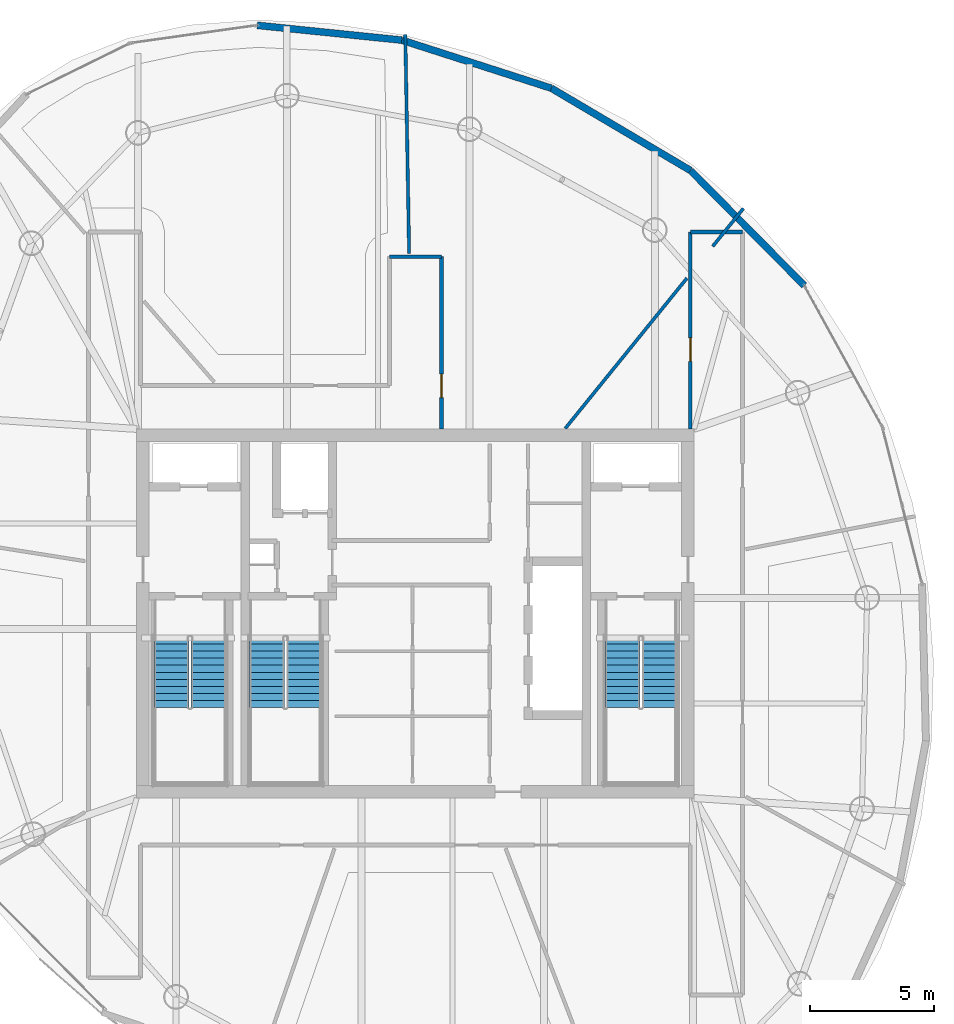
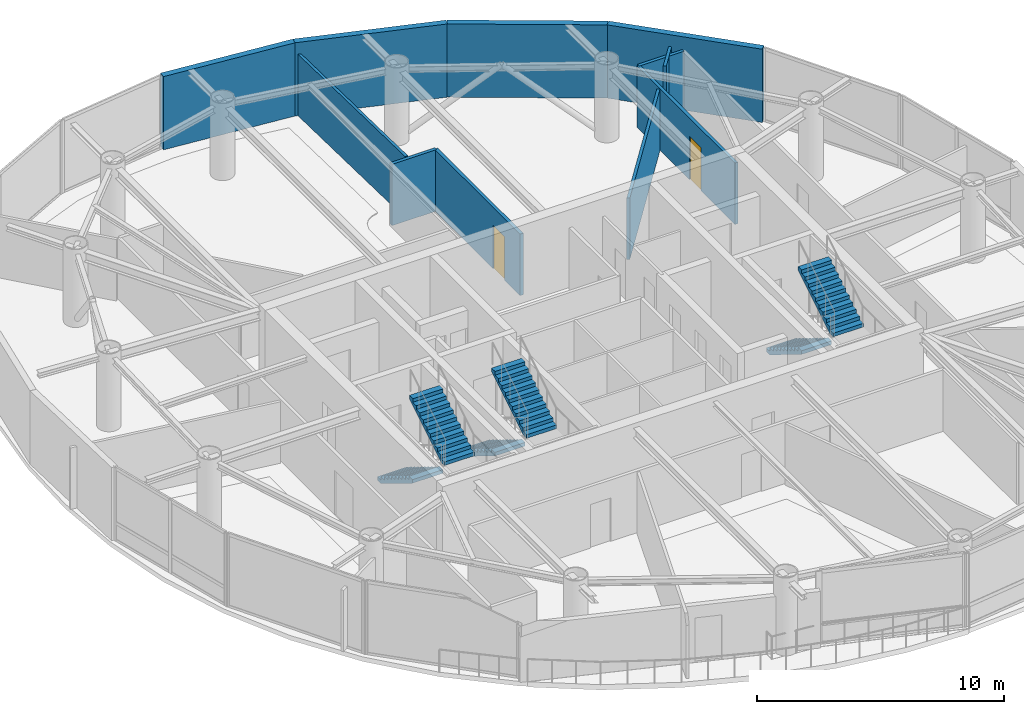
# One storey, part 17 of 20: 11 walls, 6 stair flights, 2 doors, 2 openings, 3 elements without a shape of their own.
"""IFC4 building model written with IfcOpenShell, lengths in metres."""

from ifc_helpers import new_model, si_unit, direction, frame, frame_2d, origin, place, context, subcontext, project, spatial, polyline, rectangle, outline, extrude, material, layer, layer_set, type_object, element, fill, aggregate, save


model = new_model("IFC4")

# Units and contexts
model_context = context("Model", 3, precision=1e-05, world=origin(), true_north=direction((0.0, 1.0)))
body_context = subcontext(model_context, "Body", "Model", "MODEL_VIEW")
ifc_project = project(units=[si_unit("LENGTHUNIT", "METRE"), si_unit("AREAUNIT", "SQUARE_METRE"), si_unit("VOLUMEUNIT", "CUBIC_METRE"), si_unit("PLANEANGLEUNIT", "RADIAN"), si_unit("MASSUNIT", "GRAM", prefix="KILO")], contexts=[model_context])

# Site, building, storey
site_placement = place(None, origin())
site = spatial("IfcSite", under=ifc_project, at=site_placement, CompositionType="ELEMENT")
building_placement = place(site_placement, origin())
building = spatial("IfcBuilding", under=site, at=building_placement, Name="Bramvorn Convention Spire", CompositionType="ELEMENT")
storey_placement = place(building_placement, frame((0.0, 0.0, 245.89990234375)))
storey = spatial("IfcBuildingStorey", under=building, at=storey_placement, Name="L62", CompositionType="ELEMENT", Elevation=245.89990234375)

# Walls
ifc_material_1 = material(Name="Precast Concrete C40/50 with Bronze Terracotta Rainscreen", Category="masonry")
ifc_layer_1 = layer(ifc_material_1, 0.300048828125)
ifc_layer_set_1 = layer_set([ifc_layer_1], Name="Precast Concrete C40/50 with Bronze Terracotta Rainscreen - WL-EXT-BRONZE-300")
wall_type_1 = type_object("IfcWallType", Name="WL-EXT-BRONZE-300", PredefinedType="SOLIDWALL", material=ifc_layer_set_1)
wall_1_placement = place(storey_placement, frame((49.10546875, 43.880859375, 0.0), z_axis=(0.0, 0.0, 1.0), x_axis=(0.703149483936, -0.711042054481, 0.0)))
element("IfcWall", 1, at=wall_1_placement, inside=storey, type_object=wall_type_1, Name="L62 expressed bronze Gothic lancet pier wall 07", PredefinedType="SOLIDWALL", context=body_context, shape_type="SweptSolid", body=[
    extrude(rectangle(XDim=6.52685546875, YDim=0.280029296875, at=frame_2d((3.263427734375, 0.0))), origin(), (0.0, 0.0, 1.0), 3.625),
])
wall_2_placement = place(storey_placement, frame((43.487548828125, 47.2021484375, 0.0), z_axis=(0.0, 0.0, 1.0), x_axis=(0.86081852112, -0.508912049077, 0.0)))
element("IfcWall", 2, at=wall_2_placement, inside=storey, type_object=wall_type_1, Name="L62 expressed bronze Gothic lancet pier wall 08", PredefinedType="SOLIDWALL", context=body_context, shape_type="SweptSolid", body=[
    extrude(rectangle(XDim=6.5263671875, YDim=0.280029296875, at=frame_2d((3.26318359375, 0.0))), origin(), (0.0, 0.0, 1.0), 3.625),
])
wall_3_placement = place(storey_placement, frame((37.44677734375, 49.14404296875, 0.0), z_axis=(0.0, 0.0, 1.0), x_axis=(0.952018552496, -0.306040317122, 0.0)))
element("IfcWall", 3, at=wall_3_placement, inside=storey, type_object=wall_type_1, Name="L62 expressed bronze Gothic lancet pier wall 09", PredefinedType="SOLIDWALL", context=body_context, shape_type="SweptSolid", body=[
    extrude(rectangle(XDim=6.34521484375, YDim=0.280029296875, at=frame_2d((3.172607421875, 0.0))), origin(), (0.0, 0.0, 1.0), 3.625),
])
wall_4_placement = place(storey_placement, frame((31.6171875, 49.74072265625, 0.0), z_axis=(0.0, 0.0, 1.0), x_axis=(0.994802668122, -0.101821665168, 0.0)))
element("IfcWall", 4, at=wall_4_placement, inside=storey, type_object=wall_type_1, Name="L62 expressed bronze Gothic lancet pier wall 10", PredefinedType="SOLIDWALL", context=body_context, shape_type="SweptSolid", body=[
    extrude(rectangle(XDim=5.860107421875, YDim=0.280029296875, at=frame_2d((2.93017578125, 0.0))), origin(), (0.0, 0.0, 1.0), 3.625),
])
ifc_material_2 = material(Name="Metal-Stud Demountable Office Partition", Category="gypsum")
ifc_layer_2 = layer(ifc_material_2, 0.1298828125)
ifc_layer_set_2 = layer_set([ifc_layer_2], Name="Metal-Stud Demountable Office Partition - WL-PART-130")
wall_type_2 = type_object("IfcWallType", Name="WL-PART-130", PredefinedType="PARTITIONING", material=ifc_layer_set_2)
wall_5_placement = place(storey_placement, frame((44.049072265625, 33.469970703125, 0.0), z_axis=(0.0, 0.0, 1.0), x_axis=(0.629319722443, 0.777146502883, 0.0)))
element("IfcWall", 5, at=wall_5_placement, inside=storey, type_object=wall_type_2, Name="L62 Tenant suite partition 2", PredefinedType="PARTITIONING", context=body_context, shape_type="SweptSolid", body=[
    extrude(rectangle(XDim=7.803466796875, YDim=0.1298828125, at=frame_2d((3.90185546875, 0.0))), origin(), (0.0, 0.0, 1.0), 3.0400390625),
])
wall_6_placement = place(storey_placement, frame((50.0009765625, 40.81982421875, 0.0), z_axis=(0.0, 0.0, 1.0), x_axis=(0.629258768447, 0.777195858412, 0.0)))
element("IfcWall", 6, at=wall_6_placement, inside=storey, type_object=wall_type_2, Name="L62 Tenant suite partition 2", PredefinedType="PARTITIONING", context=body_context, shape_type="SweptSolid", body=[
    extrude(rectangle(XDim=1.97216796875, YDim=0.1298828125, at=frame_2d((0.986083984375, 0.0))), origin(), (0.0, 0.0, 1.0), 3.0400390625),
])
wall_7_placement = place(storey_placement, frame((37.74609375, 40.5400390625, 0.0), z_axis=(0.0, 0.0, 1.0), x_axis=(-0.017430524335, 0.99984807687, 0.0)))
element("IfcWall", 7, at=wall_7_placement, inside=storey, type_object=wall_type_2, Name="L62 Tenant suite partition 3", PredefinedType="PARTITIONING", context=body_context, shape_type="SweptSolid", body=[
    extrude(rectangle(XDim=8.823974609375, YDim=0.1298828125, at=frame_2d((4.412109375, 0.0))), origin(), (0.0, 0.0, 1.0), 3.0400390625),
])

# Wall, opening, door
ifc_material_3 = material(Name="Acoustic Metal-Stud Tenant/Corridor Partition", Category="gypsum")
ifc_layer_3 = layer(ifc_material_3, 0.14990234375)
ifc_layer_set_3 = layer_set([ifc_layer_3], Name="Acoustic Metal-Stud Tenant/Corridor Partition - WL-PART-150")
wall_type_3 = type_object("IfcWallType", Name="WL-PART-150", PredefinedType="PARTITIONING", material=ifc_layer_set_3)
wall_8_placement = place(storey_placement, frame((49.10009765625, 33.449951171875, 0.0), z_axis=(0.0, 0.0, 1.0), x_axis=(0.0, 1.0, 0.0)))
wall_8 = element("IfcWall", 8, at=wall_8_placement, inside=storey, type_object=wall_type_3, Name="L62 East gallery NW wall", PredefinedType="PARTITIONING", context=body_context, shape_type="SweptSolid", body=[
    extrude(rectangle(XDim=7.949951171875, YDim=0.14990234375, at=frame_2d((3.97509765625, 0.0))), origin(), (0.0, 0.0, 1.0), 3.0400390625),
])
opening_1_placement = place(wall_8_placement, frame((2.727783203125, 0.0, 0.0)))
opening_1 = element("IfcOpeningElement", 9, at=opening_1_placement, cuts=wall_8, Name="Opening DH-095", PredefinedType="OPENING", context=body_context, shape_type="SweptSolid", body=[
    extrude(rectangle(XDim=0.949951171875, YDim=2.14990234375, at=frame_2d((0.47509765625, 1.074951171875))), frame((0.0, 0.0849609375, 0.0), z_axis=(0.0, -1.0, 0.0), x_axis=(1.0, 0.0, 0.0)), (0.0, 0.0, 1.0), 0.169921875),
])
ifc_material_4 = material(Name="Solid-Core Acoustic Guestroom Entry Door", Category="wood")
door_type = type_object("IfcDoorType", Name="DR-HOTEL-950", OperationType="NOTDEFINED", PredefinedType="DOOR", material=ifc_material_4)
door_1_placement = place(opening_1_placement, origin())
door_1 = element("IfcDoor", 10, at=door_1_placement, inside=storey, type_object=door_type, Name="L62 Conference Meeting Room 2 2 door", OperationType="SINGLE_SWING_RIGHT", OverallHeight=2.14990234375, OverallWidth=0.949951171875, PredefinedType="DOOR", context=body_context, shape_type="SweptSolid", body=[
    extrude(rectangle(XDim=0.949951171875, YDim=2.14990234375, at=frame_2d((0.47509765625, 1.074951171875))), frame((0.0, 0.02490234375, 0.0), z_axis=(0.0, -1.0, 0.0), x_axis=(1.0, 0.0, 0.0)), (0.0, 0.0, 1.0), 0.050048828125),
])
fill(opening_1, door_1)

# Wall
wall_9_placement = place(storey_placement, frame((49.10009765625, 41.39990234375, 0.0), z_axis=(0.0, 0.0, 1.0), x_axis=(1.0, 0.0, 0.0)))
element("IfcWall", 11, at=wall_9_placement, inside=storey, type_object=wall_type_3, Name="L62 East gallery north end", PredefinedType="PARTITIONING", context=body_context, shape_type="SweptSolid", body=[
    extrude(rectangle(XDim=2.099853515625, YDim=0.14990234375, at=frame_2d((1.0498046875, 0.0))), origin(), (0.0, 0.0, 1.0), 3.0400390625),
])

# Wall, opening, door
wall_10_placement = place(storey_placement, frame((39.050048828125, 33.449951171875, 0.0), z_axis=(0.0, 0.0, 1.0), x_axis=(0.0, 1.0, 0.0)))
wall_10 = element("IfcWall", 12, at=wall_10_placement, inside=storey, type_object=wall_type_3, Name="L62 North spur east wall", PredefinedType="PARTITIONING", context=body_context, shape_type="SweptSolid", body=[
    extrude(rectangle(XDim=6.949951171875, YDim=0.14990234375, at=frame_2d((3.47509765625, 0.0))), origin(), (0.0, 0.0, 1.0), 3.0400390625),
])
opening_2_placement = place(wall_10_placement, frame((1.262451171875, 0.0, 0.0)))
opening_2 = element("IfcOpeningElement", 13, at=opening_2_placement, cuts=wall_10, Name="Opening DH-095", PredefinedType="OPENING", context=body_context, shape_type="SweptSolid", body=[
    extrude(rectangle(XDim=0.949951171875, YDim=2.14990234375, at=frame_2d((0.47509765625, 1.074951171875))), frame((0.0, 0.0849609375, 0.0), z_axis=(0.0, -1.0, 0.0), x_axis=(1.0, 0.0, 0.0)), (0.0, 0.0, 1.0), 0.169921875),
])
door_2_placement = place(opening_2_placement, origin())
door_2 = element("IfcDoor", 14, at=door_2_placement, inside=storey, type_object=door_type, Name="L62 Conference Meeting Room 3 3 door", OperationType="SINGLE_SWING_LEFT", OverallHeight=2.14990234375, OverallWidth=0.949951171875, PredefinedType="DOOR", context=body_context, shape_type="SweptSolid", body=[
    extrude(rectangle(XDim=0.949951171875, YDim=2.14990234375, at=frame_2d((0.47509765625, 1.074951171875))), frame((0.0, 0.02490234375, 0.0), z_axis=(0.0, -1.0, 0.0), x_axis=(1.0, 0.0, 0.0)), (0.0, 0.0, 1.0), 0.050048828125),
])
fill(opening_2, door_2)

# Wall
wall_11_placement = place(storey_placement, frame((36.949951171875, 40.39990234375, 0.0), z_axis=(0.0, 0.0, 1.0), x_axis=(1.0, 0.0, 0.0)))
element("IfcWall", 15, at=wall_11_placement, inside=storey, type_object=wall_type_3, Name="L62 North spur end wall", PredefinedType="PARTITIONING", context=body_context, shape_type="SweptSolid", body=[
    extrude(rectangle(XDim=2.10009765625, YDim=0.14990234375, at=frame_2d((1.050048828125, 0.0))), origin(), (0.0, 0.0, 1.0), 3.0400390625),
])

# Stair, stair flights
ifc_material_5 = material(Name="Concrete C40/50 Precast Stair", Category="concrete")
stair_type = type_object("IfcStairType", Name="ST-TOWER-1550", PredefinedType="HALF_TURN_STAIR", material=ifc_material_5)
stair_1_placement = place(storey_placement, origin())
stair_1 = element("IfcStair", 16, at=stair_1_placement, inside=storey, type_object=stair_type, Name="L62 Protected Exit Stair ST1", PredefinedType="HALF_TURN_STAIR")
ifc_material_6 = material(Name="Concrete C40/50 Precast Stair Flight", Category="concrete")
stair_flight_type = type_object("IfcStairFlightType", Name="STF-TOWER-1550", PredefinedType="STRAIGHT", material=ifc_material_6)
stair_flight_1_placement = place(storey_placement, frame((28.155029296875, 25.050048828125, 0.0), z_axis=(0.0, 0.0, 1.0), x_axis=(0.0, -1.0, 0.0)))
stair_flight_1 = element("IfcStairFlight", 17, at=stair_flight_1_placement, type_object=stair_flight_type, Name="ST1 flight 1", NumberOfRisers=11, NumberOfTreads=10, PredefinedType="STRAIGHT", RiserHeight=0.175, TreadLength=0.285, context=body_context, shape_type="SweptSolid", body=[
    extrude(outline(polyline([(0.0, 0.0), (0.0, 0.175048828125), (0.284912109375, 0.175048828125), (0.284912109375, 0.35009765625), (0.570068359375, 0.35009765625), (0.570068359375, 0.52490234375), (0.85498046875, 0.52490234375), (0.85498046875, 0.699951171875), (1.139892578125, 0.699951171875), (1.139892578125, 0.875), (1.425048828125, 0.875), (1.425048828125, 1.050048828125), (1.7099609375, 1.050048828125), (1.7099609375, 1.22509765625), (1.9951171875, 1.22509765625), (1.9951171875, 1.39990234375), (2.280029296875, 1.39990234375), (2.280029296875, 1.574951171875), (2.56494140625, 1.574951171875), (2.56494140625, 1.75), (2.85009765625, 1.75), (2.85009765625, 1.925048828125), (2.85009765625, 1.573974609375), (0.286376953125, 0.0), (0.0, 0.0)])), frame((0.0, 0.705078125, 0.0), z_axis=(0.0, -1.0, 0.0), x_axis=(1.0, 0.0, 0.0)), (0.0, 0.0, 1.0), 1.409912109375),
])
stair_flight_2_placement = place(storey_placement, frame((29.64501953125, 22.199951171875, 1.925048828125), z_axis=(0.0, 0.0, 1.0), x_axis=(0.0, 1.0, 0.0)))
stair_flight_2 = element("IfcStairFlight", 18, at=stair_flight_2_placement, type_object=stair_flight_type, Name="ST1 flight 2", NumberOfRisers=11, NumberOfTreads=10, PredefinedType="STRAIGHT", RiserHeight=0.175, TreadLength=0.285, context=body_context, shape_type="SweptSolid", body=[
    extrude(outline(polyline([(0.0, 0.0), (0.0, 0.175048828125), (0.284912109375, 0.175048828125), (0.284912109375, 0.35009765625), (0.570068359375, 0.35009765625), (0.570068359375, 0.52490234375), (0.85498046875, 0.52490234375), (0.85498046875, 0.699951171875), (1.139892578125, 0.699951171875), (1.139892578125, 0.875), (1.425048828125, 0.875), (1.425048828125, 1.050048828125), (1.7099609375, 1.050048828125), (1.7099609375, 1.22509765625), (1.9951171875, 1.22509765625), (1.9951171875, 1.39990234375), (2.280029296875, 1.39990234375), (2.280029296875, 1.574951171875), (2.56494140625, 1.574951171875), (2.56494140625, 1.75), (2.85009765625, 1.75), (2.85009765625, 1.925048828125), (2.85009765625, 1.573974609375), (0.286376953125, 0.0), (0.0, 0.0)])), frame((0.0, 0.705078125, 0.0), z_axis=(0.0, -1.0, 0.0), x_axis=(1.0, 0.0, 0.0)), (0.0, 0.0, 1.0), 1.409912109375),
])
aggregate(stair_1, [stair_flight_1, stair_flight_2])

stair_2_placement = place(storey_placement, origin())
stair_2 = element("IfcStair", 19, at=stair_2_placement, inside=storey, type_object=stair_type, Name="L62 Protected Exit Stair ST2", PredefinedType="HALF_TURN_STAIR")
stair_flight_3_placement = place(storey_placement, frame((46.35498046875, 25.050048828125, 0.0), z_axis=(0.0, 0.0, 1.0), x_axis=(0.0, -1.0, 0.0)))
stair_flight_3 = element("IfcStairFlight", 20, at=stair_flight_3_placement, type_object=stair_flight_type, Name="ST2 flight 1", NumberOfRisers=11, NumberOfTreads=10, PredefinedType="STRAIGHT", RiserHeight=0.175, TreadLength=0.285, context=body_context, shape_type="SweptSolid", body=[
    extrude(outline(polyline([(0.0, 0.0), (0.0, 0.175048828125), (0.284912109375, 0.175048828125), (0.284912109375, 0.35009765625), (0.570068359375, 0.35009765625), (0.570068359375, 0.52490234375), (0.85498046875, 0.52490234375), (0.85498046875, 0.699951171875), (1.139892578125, 0.699951171875), (1.139892578125, 0.875), (1.425048828125, 0.875), (1.425048828125, 1.050048828125), (1.7099609375, 1.050048828125), (1.7099609375, 1.22509765625), (1.9951171875, 1.22509765625), (1.9951171875, 1.39990234375), (2.280029296875, 1.39990234375), (2.280029296875, 1.574951171875), (2.56494140625, 1.574951171875), (2.56494140625, 1.75), (2.85009765625, 1.75), (2.85009765625, 1.925048828125), (2.85009765625, 1.573974609375), (0.286376953125, 0.0), (0.0, 0.0)])), frame((0.0, 0.705078125, 0.0), z_axis=(0.0, -1.0, 0.0), x_axis=(1.0, 0.0, 0.0)), (0.0, 0.0, 1.0), 1.409912109375),
])
stair_flight_4_placement = place(storey_placement, frame((47.844970703125, 22.199951171875, 1.925048828125), z_axis=(0.0, 0.0, 1.0), x_axis=(0.0, 1.0, 0.0)))
stair_flight_4 = element("IfcStairFlight", 21, at=stair_flight_4_placement, type_object=stair_flight_type, Name="ST2 flight 2", NumberOfRisers=11, NumberOfTreads=10, PredefinedType="STRAIGHT", RiserHeight=0.175, TreadLength=0.285, context=body_context, shape_type="SweptSolid", body=[
    extrude(outline(polyline([(0.0, 0.0), (0.0, 0.175048828125), (0.284912109375, 0.175048828125), (0.284912109375, 0.35009765625), (0.570068359375, 0.35009765625), (0.570068359375, 0.52490234375), (0.85498046875, 0.52490234375), (0.85498046875, 0.699951171875), (1.139892578125, 0.699951171875), (1.139892578125, 0.875), (1.425048828125, 0.875), (1.425048828125, 1.050048828125), (1.7099609375, 1.050048828125), (1.7099609375, 1.22509765625), (1.9951171875, 1.22509765625), (1.9951171875, 1.39990234375), (2.280029296875, 1.39990234375), (2.280029296875, 1.574951171875), (2.56494140625, 1.574951171875), (2.56494140625, 1.75), (2.85009765625, 1.75), (2.85009765625, 1.925048828125), (2.85009765625, 1.573974609375), (0.286376953125, 0.0), (0.0, 0.0)])), frame((0.0, 0.705078125, 0.0), z_axis=(0.0, -1.0, 0.0), x_axis=(1.0, 0.0, 0.0)), (0.0, 0.0, 1.0), 1.409912109375),
])
aggregate(stair_2, [stair_flight_3, stair_flight_4])

stair_3_placement = place(storey_placement, origin())
stair_3 = element("IfcStair", 22, at=stair_3_placement, inside=storey, type_object=stair_type, Name="L62 Protected Exit Stair ST3", PredefinedType="HALF_TURN_STAIR")
stair_flight_5_placement = place(storey_placement, frame((32.0048828125, 25.050048828125, 0.0), z_axis=(0.0, 0.0, 1.0), x_axis=(0.0, -1.0, 0.0)))
stair_flight_5 = element("IfcStairFlight", 23, at=stair_flight_5_placement, type_object=stair_flight_type, Name="ST3 flight 1", NumberOfRisers=11, NumberOfTreads=10, PredefinedType="STRAIGHT", RiserHeight=0.175, TreadLength=0.285, context=body_context, shape_type="SweptSolid", body=[
    extrude(outline(polyline([(0.0, 0.0), (0.0, 0.175048828125), (0.284912109375, 0.175048828125), (0.284912109375, 0.35009765625), (0.570068359375, 0.35009765625), (0.570068359375, 0.52490234375), (0.85498046875, 0.52490234375), (0.85498046875, 0.699951171875), (1.139892578125, 0.699951171875), (1.139892578125, 0.875), (1.425048828125, 0.875), (1.425048828125, 1.050048828125), (1.7099609375, 1.050048828125), (1.7099609375, 1.22509765625), (1.9951171875, 1.22509765625), (1.9951171875, 1.39990234375), (2.280029296875, 1.39990234375), (2.280029296875, 1.574951171875), (2.56494140625, 1.574951171875), (2.56494140625, 1.75), (2.85009765625, 1.75), (2.85009765625, 1.925048828125), (2.85009765625, 1.573974609375), (0.286376953125, 0.0), (0.0, 0.0)])), frame((0.0, 0.705078125, 0.0), z_axis=(0.0, -1.0, 0.0), x_axis=(1.0, 0.0, 0.0)), (0.0, 0.0, 1.0), 1.409912109375),
])
stair_flight_6_placement = place(storey_placement, frame((33.4951171875, 22.199951171875, 1.925048828125), z_axis=(0.0, 0.0, 1.0), x_axis=(0.0, 1.0, 0.0)))
stair_flight_6 = element("IfcStairFlight", 24, at=stair_flight_6_placement, type_object=stair_flight_type, Name="ST3 flight 2", NumberOfRisers=11, NumberOfTreads=10, PredefinedType="STRAIGHT", RiserHeight=0.175, TreadLength=0.285, context=body_context, shape_type="SweptSolid", body=[
    extrude(outline(polyline([(0.0, 0.0), (0.0, 0.175048828125), (0.284912109375, 0.175048828125), (0.284912109375, 0.35009765625), (0.570068359375, 0.35009765625), (0.570068359375, 0.52490234375), (0.85498046875, 0.52490234375), (0.85498046875, 0.699951171875), (1.139892578125, 0.699951171875), (1.139892578125, 0.875), (1.425048828125, 0.875), (1.425048828125, 1.050048828125), (1.7099609375, 1.050048828125), (1.7099609375, 1.22509765625), (1.9951171875, 1.22509765625), (1.9951171875, 1.39990234375), (2.280029296875, 1.39990234375), (2.280029296875, 1.574951171875), (2.56494140625, 1.574951171875), (2.56494140625, 1.75), (2.85009765625, 1.75), (2.85009765625, 1.925048828125), (2.85009765625, 1.573974609375), (0.286376953125, 0.0), (0.0, 0.0)])), frame((0.0, 0.705078125, 0.0), z_axis=(0.0, -1.0, 0.0), x_axis=(1.0, 0.0, 0.0)), (0.0, 0.0, 1.0), 1.409912109375),
])
aggregate(stair_3, [stair_flight_5, stair_flight_6])

save(model, "model.ifc")
